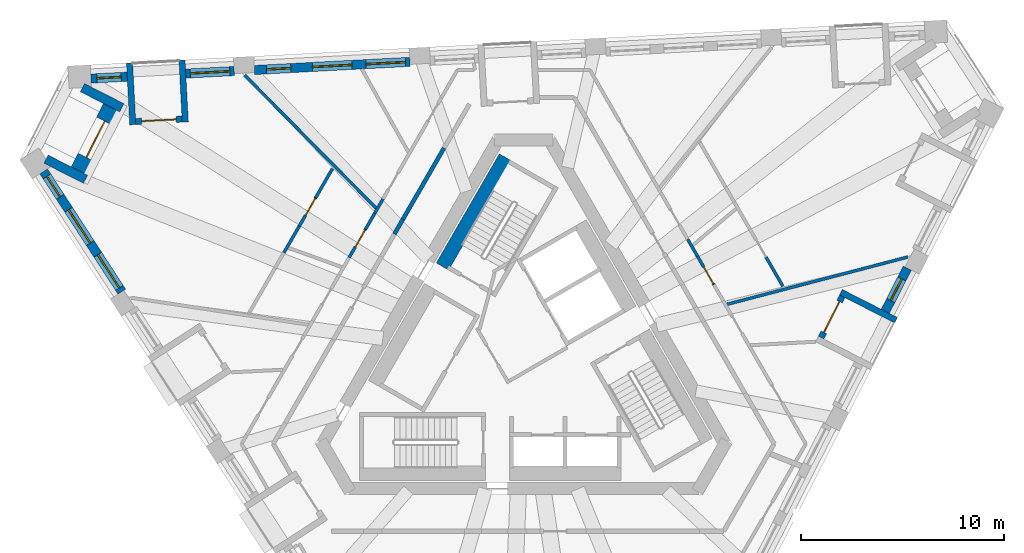
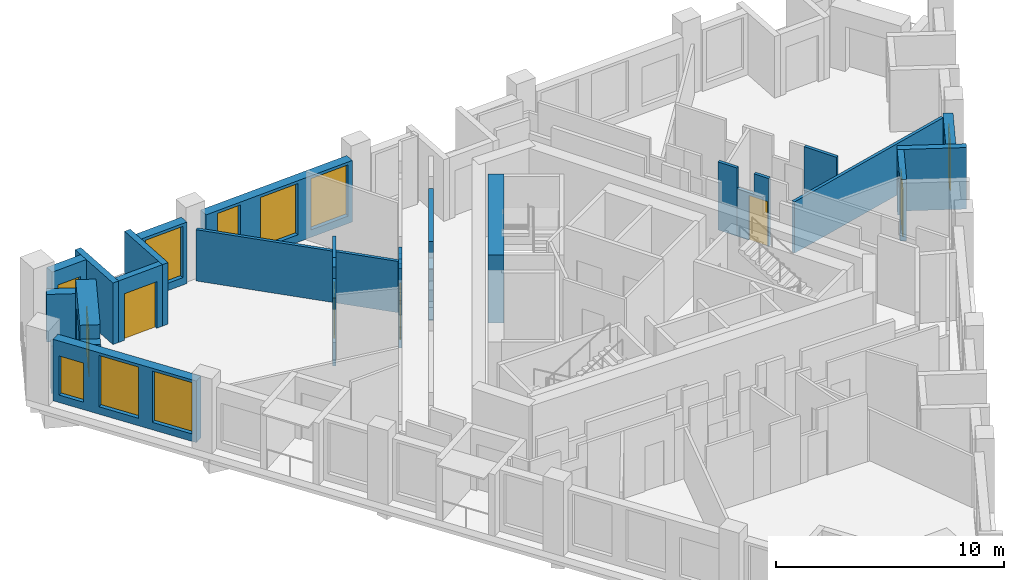
# One storey, part 6 of 12: 27 walls, 9 windows, 6 doors, 15 openings.
"""IFC4 building model written with IfcOpenShell, lengths in metres."""

from ifc_helpers import new_model, si_unit, direction, frame, frame_2d, origin, place, context, subcontext, project, spatial, polyline, rectangle, outline, extrude, material, layer, layer_set, type_object, element, fill, save


model = new_model("IFC4")

# Units and contexts
model_context = context("Model", 3, precision=1e-05, world=origin(), true_north=direction((0.0, 1.0)))
body_context = subcontext(model_context, "Body", "Model", "MODEL_VIEW")
ifc_project = project(units=[si_unit("LENGTHUNIT", "METRE"), si_unit("AREAUNIT", "SQUARE_METRE"), si_unit("VOLUMEUNIT", "CUBIC_METRE"), si_unit("PLANEANGLEUNIT", "RADIAN"), si_unit("MASSUNIT", "GRAM", prefix="KILO")], contexts=[model_context])

# Site, building, storey
site_placement = place(None, origin())
site = spatial("IfcSite", under=ifc_project, at=site_placement, CompositionType="ELEMENT")
building_placement = place(site_placement, origin())
building = spatial("IfcBuilding", under=site, at=building_placement, Name="Tramontana Tower", CompositionType="ELEMENT")
storey_placement = place(building_placement, frame((0.0, 0.0, 282.39990234375)))
storey = spatial("IfcBuildingStorey", under=building, at=storey_placement, Name="L66", CompositionType="ELEMENT", Elevation=282.39990234375)

# Walls
ifc_material_1 = material(Name="Blockwork", Category="masonry")
ifc_layer_1 = layer(ifc_material_1, 0.199951171875)
ifc_layer_set_1 = layer_set([ifc_layer_1], Name="ENTRY WALL 200")
wall_type_1 = type_object("IfcWallType", Name="ENTRY WALL 200", PredefinedType="SOLIDWALL", material=ifc_layer_set_1)
wall_1_placement = place(storey_placement, frame((-6.36328125, 6.07861328125, 0.0), z_axis=(0.0, 0.0, 1.0), x_axis=(0.499950631041, 0.86605390509, 0.0)))
element("IfcWall", 1, at=wall_1_placement, inside=storey, type_object=wall_type_1, Name="Wall v70-ew3-8", PredefinedType="SOLIDWALL", context=body_context, shape_type="SweptSolid", body=[
    extrude(rectangle(XDim=0.83349609375, YDim=0.199951171875, at=frame_2d((0.416748046875, 0.0))), origin(), (0.0, 0.0, 1.0), 2.75),
])
wall_2_placement = place(storey_placement, frame((-5.946533203125, 6.800537109375, 0.0), z_axis=(0.0, 0.0, 1.0), x_axis=(0.500007556608, 0.866021040931, 0.0)))
element("IfcWall", 2, at=wall_2_placement, inside=storey, type_object=wall_type_1, Name="Wall v70-ew3-9", PredefinedType="SOLIDWALL", context=body_context, shape_type="SweptSolid", body=[
    extrude(rectangle(XDim=4.05224609375, YDim=0.199951171875, at=frame_2d((2.026123046875, 0.0))), origin(), (0.0, 0.0, 1.0), 3.650146484375),
])

# Wall, openings, windows
ifc_material_2 = material(Name="Precast concrete 60 MPa", Category="concrete")
ifc_layer_2 = layer(ifc_material_2, 0.449951171875)
ifc_layer_set_2 = layer_set([ifc_layer_2], Name="Precast concrete 60 MPa, 450 mm")
wall_type_2 = type_object("IfcWallType", Name="EW1 Stone-faced precast wall 450", PredefinedType="SOLIDWALL", material=ifc_layer_set_2)
wall_3_placement = place(storey_placement, frame((-23.6259765625, 9.160888671875, 0.0), z_axis=(0.0, 0.0, 1.0), x_axis=(0.54463703186, -0.838671868806, 0.0)))
wall_3 = element("IfcWall", 3, at=wall_3_placement, inside=storey, type_object=wall_type_2, Name="External wall L66 face 0 bay 1", PredefinedType="SOLIDWALL", context=body_context, shape_type="SweptSolid", body=[
    extrude(rectangle(XDim=7.06005859375, YDim=0.449951171875, at=frame_2d((3.530029296875, 0.0))), origin(), (0.0, 0.0, 1.0), 3.300048828125),
])
opening_1_placement = place(wall_3_placement, frame((0.29345703125, 0.0, 0.39990234375)))
opening_1 = element("IfcOpeningElement", 4, at=opening_1_placement, cuts=wall_3, Name="Opening N3L", PredefinedType="OPENING", context=body_context, shape_type="SweptSolid", body=[
    extrude(rectangle(XDim=1.199951171875, YDim=2.10009765625, at=frame_2d((0.60009765625, 1.050048828125))), frame((0.0, 0.23486328125, 0.0), z_axis=(0.0, -1.0, 0.0), x_axis=(1.0, 0.0, 0.0)), (0.0, 0.0, 1.0), 0.469970703125),
])
opening_2_placement = place(wall_3_placement, frame((2.255126953125, 0.0, 0.39990234375)))
opening_2 = element("IfcOpeningElement", 5, at=opening_2_placement, cuts=wall_3, Name="Opening M3", PredefinedType="OPENING", context=body_context, shape_type="SweptSolid", body=[
    extrude(rectangle(XDim=1.949951171875, YDim=2.75, at=frame_2d((0.97509765625, 1.375))), frame((0.0, 0.23486328125, 0.0), z_axis=(0.0, -1.0, 0.0), x_axis=(1.0, 0.0, 0.0)), (0.0, 0.0, 1.0), 0.469970703125),
])
opening_3_placement = place(wall_3_placement, frame((4.891845703125, 0.0, 0.39990234375)))
opening_3 = element("IfcOpeningElement", 6, at=opening_3_placement, cuts=wall_3, Name="Opening M3", PredefinedType="OPENING", context=body_context, shape_type="SweptSolid", body=[
    extrude(rectangle(XDim=1.949951171875, YDim=2.75, at=frame_2d((0.97509765625, 1.375))), frame((0.0, 0.23486328125, 0.0), z_axis=(0.0, -1.0, 0.0), x_axis=(1.0, 0.0, 0.0)), (0.0, 0.0, 1.0), 0.469970703125),
])
ifc_material_3 = material(Name="Aluminum frame, double glazing unit", Category="aluminium")
window_type_1 = type_object("IfcWindowType", Name="M3 Window 1.95 x 2.75", PartitioningType="SINGLE_PANEL", PredefinedType="WINDOW", material=ifc_material_3)
window_1_placement = place(opening_2_placement, origin())
window_1 = element("IfcWindow", 7, at=window_1_placement, inside=storey, type_object=window_type_1, Name="Window M3 L66 face 0 module 2", OverallHeight=2.75, OverallWidth=1.949951171875, PartitioningType="SINGLE_PANEL", PredefinedType="WINDOW", context=body_context, shape_type="SweptSolid", body=[
    extrude(rectangle(XDim=1.949951171875, YDim=2.75, at=frame_2d((0.97509765625, 1.375))), frame((0.0, 0.030029296875, 0.0), z_axis=(0.0, -1.0, 0.0), x_axis=(1.0, 0.0, 0.0)), (0.0, 0.0, 1.0), 0.06005859375),
])
fill(opening_2, window_1)
window_2_placement = place(opening_3_placement, origin())
window_2 = element("IfcWindow", 8, at=window_2_placement, inside=storey, type_object=window_type_1, Name="Window M3 L66 face 0 module 3", OverallHeight=2.75, OverallWidth=1.949951171875, PartitioningType="SINGLE_PANEL", PredefinedType="WINDOW", context=body_context, shape_type="SweptSolid", body=[
    extrude(rectangle(XDim=1.949951171875, YDim=2.75, at=frame_2d((0.97509765625, 1.375))), frame((0.0, 0.030029296875, 0.0), z_axis=(0.0, -1.0, 0.0), x_axis=(1.0, 0.0, 0.0)), (0.0, 0.0, 1.0), 0.06005859375),
])
fill(opening_3, window_2)
ifc_material_4 = material(Name="Aluminum frame, double glazing unit", Category="aluminium")
window_type_2 = type_object("IfcWindowType", Name="N3L Window 1.2 x 2.1", PartitioningType="SINGLE_PANEL", PredefinedType="WINDOW", material=ifc_material_4)
window_3_placement = place(opening_1_placement, origin())
window_3 = element("IfcWindow", 9, at=window_3_placement, inside=storey, type_object=window_type_2, Name="Window N3L L66 face 0 module 1", OverallHeight=2.10009765625, OverallWidth=1.199951171875, PartitioningType="SINGLE_PANEL", PredefinedType="WINDOW", context=body_context, shape_type="SweptSolid", body=[
    extrude(rectangle(XDim=1.199951171875, YDim=2.10009765625, at=frame_2d((0.60009765625, 1.050048828125))), frame((0.0, 0.030029296875, 0.0), z_axis=(0.0, -1.0, 0.0), x_axis=(1.0, 0.0, 0.0)), (0.0, 0.0, 1.0), 0.06005859375),
])
fill(opening_1, window_3)

# Wall, opening, window
wall_4_placement = place(storey_placement, frame((17.796142578125, 2.27197265625, 0.0), z_axis=(0.0, 0.0, 1.0), x_axis=(0.453951830128, 0.891026226283, 0.0)))
wall_4 = element("IfcWall", 10, at=wall_4_placement, inside=storey, type_object=wall_type_2, Name="External wall L66 face 1 bay 4", PredefinedType="SOLIDWALL", context=body_context, shape_type="SweptSolid", body=[
    extrude(rectangle(XDim=2.38671875, YDim=0.449951171875, at=frame_2d((1.193359375, 0.0))), origin(), (0.0, 0.0, 1.0), 3.300048828125),
])
opening_4_placement = place(wall_4_placement, frame((0.59326171875, 0.0, 0.39990234375)))
opening_4 = element("IfcOpeningElement", 11, at=opening_4_placement, cuts=wall_4, Name="Opening N3", PredefinedType="OPENING", context=body_context, shape_type="SweptSolid", body=[
    extrude(rectangle(XDim=1.199951171875, YDim=2.75, at=frame_2d((0.60009765625, 1.375))), frame((0.0, 0.23486328125, 0.0), z_axis=(0.0, -1.0, 0.0), x_axis=(1.0, 0.0, 0.0)), (0.0, 0.0, 1.0), 0.469970703125),
])
ifc_material_5 = material(Name="Aluminum frame, double glazing unit", Category="aluminium")
window_type_3 = type_object("IfcWindowType", Name="N3 Window 1.2 x 2.75", PartitioningType="SINGLE_PANEL", PredefinedType="WINDOW", material=ifc_material_5)
window_4_placement = place(opening_4_placement, origin())
window_4 = element("IfcWindow", 12, at=window_4_placement, inside=storey, type_object=window_type_3, Name="Window N3 L66 face 1 module 12", OverallHeight=2.75, OverallWidth=1.199951171875, PartitioningType="SINGLE_PANEL", PredefinedType="WINDOW", context=body_context, shape_type="SweptSolid", body=[
    extrude(rectangle(XDim=1.199951171875, YDim=2.75, at=frame_2d((0.60009765625, 1.375))), frame((0.0, 0.030029296875, 0.0), z_axis=(0.0, -1.0, 0.0), x_axis=(1.0, 0.0, 0.0)), (0.0, 0.0, 1.0), 0.06005859375),
])
fill(opening_4, window_4)

# Wall, openings, windows
wall_5_placement = place(storey_placement, frame((-5.599365234375, 14.552001953125, 0.0), z_axis=(0.0, 0.0, 1.0), x_axis=(-0.998628023429, -0.052364786088, 0.0)))
wall_5 = element("IfcWall", 13, at=wall_5_placement, inside=storey, type_object=wall_type_2, Name="External wall L66 face 2 bay 4", PredefinedType="SOLIDWALL", context=body_context, shape_type="SweptSolid", body=[
    extrude(rectangle(XDim=7.66015625, YDim=0.449951171875, at=frame_2d((3.830078125, 0.0))), origin(), (0.0, 0.0, 1.0), 3.300048828125),
])
opening_5_placement = place(wall_5_placement, frame((0.21826171875, 0.0, 0.39990234375)))
opening_5 = element("IfcOpeningElement", 14, at=opening_5_placement, cuts=wall_5, Name="Opening M3", PredefinedType="OPENING", context=body_context, shape_type="SweptSolid", body=[
    extrude(rectangle(XDim=1.949951171875, YDim=2.75, at=frame_2d((0.97509765625, 1.375))), frame((0.0, 0.23486328125, 0.0), z_axis=(0.0, -1.0, 0.0), x_axis=(1.0, 0.0, 0.0)), (0.0, 0.0, 1.0), 0.469970703125),
])
opening_6_placement = place(wall_5_placement, frame((2.855224609375, 0.0, 0.39990234375)))
opening_6 = element("IfcOpeningElement", 15, at=opening_6_placement, cuts=wall_5, Name="Opening M3", PredefinedType="OPENING", context=body_context, shape_type="SweptSolid", body=[
    extrude(rectangle(XDim=1.949951171875, YDim=2.75, at=frame_2d((0.97509765625, 1.375))), frame((0.0, 0.23486328125, 0.0), z_axis=(0.0, -1.0, 0.0), x_axis=(1.0, 0.0, 0.0)), (0.0, 0.0, 1.0), 0.469970703125),
])
opening_7_placement = place(wall_5_placement, frame((5.866943359375, 0.0, 0.39990234375)))
opening_7 = element("IfcOpeningElement", 16, at=opening_7_placement, cuts=wall_5, Name="Opening N3", PredefinedType="OPENING", context=body_context, shape_type="SweptSolid", body=[
    extrude(rectangle(XDim=1.199951171875, YDim=2.75, at=frame_2d((0.60009765625, 1.375))), frame((0.0, 0.23486328125, 0.0), z_axis=(0.0, -1.0, 0.0), x_axis=(1.0, 0.0, 0.0)), (0.0, 0.0, 1.0), 0.469970703125),
])
window_5_placement = place(opening_5_placement, origin())
window_5 = element("IfcWindow", 17, at=window_5_placement, inside=storey, type_object=window_type_1, Name="Window M3 L66 face 2 module 10", OverallHeight=2.75, OverallWidth=1.949951171875, PartitioningType="SINGLE_PANEL", PredefinedType="WINDOW", context=body_context, shape_type="SweptSolid", body=[
    extrude(rectangle(XDim=1.949951171875, YDim=2.75, at=frame_2d((0.97509765625, 1.375))), frame((0.0, 0.030029296875, 0.0), z_axis=(0.0, -1.0, 0.0), x_axis=(1.0, 0.0, 0.0)), (0.0, 0.0, 1.0), 0.06005859375),
])
fill(opening_5, window_5)
window_6_placement = place(opening_6_placement, origin())
window_6 = element("IfcWindow", 18, at=window_6_placement, inside=storey, type_object=window_type_1, Name="Window M3 L66 face 2 module 11", OverallHeight=2.75, OverallWidth=1.949951171875, PartitioningType="SINGLE_PANEL", PredefinedType="WINDOW", context=body_context, shape_type="SweptSolid", body=[
    extrude(rectangle(XDim=1.949951171875, YDim=2.75, at=frame_2d((0.97509765625, 1.375))), frame((0.0, 0.030029296875, 0.0), z_axis=(0.0, -1.0, 0.0), x_axis=(1.0, 0.0, 0.0)), (0.0, 0.0, 1.0), 0.06005859375),
])
fill(opening_6, window_6)
window_7_placement = place(opening_7_placement, origin())
window_7 = element("IfcWindow", 19, at=window_7_placement, inside=storey, type_object=window_type_3, Name="Window N3 L66 face 2 module 12", OverallHeight=2.75, OverallWidth=1.199951171875, PartitioningType="SINGLE_PANEL", PredefinedType="WINDOW", context=body_context, shape_type="SweptSolid", body=[
    extrude(rectangle(XDim=1.199951171875, YDim=2.75, at=frame_2d((0.60009765625, 1.375))), frame((0.0, 0.030029296875, 0.0), z_axis=(0.0, -1.0, 0.0), x_axis=(1.0, 0.0, 0.0)), (0.0, 0.0, 1.0), 0.06005859375),
])
fill(opening_7, window_7)

# Wall, opening, window
wall_6_placement = place(storey_placement, frame((-14.247802734375, 14.0986328125, 0.0), z_axis=(0.0, 0.0, 1.0), x_axis=(-0.998627701279, -0.052370929331, 0.0)))
wall_6 = element("IfcWall", 20, at=wall_6_placement, inside=storey, type_object=wall_type_2, Name="External wall L66 face 2 bay 5", PredefinedType="SOLIDWALL", context=body_context, shape_type="SweptSolid", body=[
    extrude(rectangle(XDim=2.38671875, YDim=0.449951171875, at=frame_2d((1.193359375, 0.0))), origin(), (0.0, 0.0, 1.0), 3.300048828125),
])
opening_8_placement = place(wall_6_placement, frame((0.21826171875, 0.0, 0.39990234375)))
opening_8 = element("IfcOpeningElement", 21, at=opening_8_placement, cuts=wall_6, Name="Opening M3", PredefinedType="OPENING", context=body_context, shape_type="SweptSolid", body=[
    extrude(rectangle(XDim=1.949951171875, YDim=2.75, at=frame_2d((0.97509765625, 1.375))), frame((0.0, 0.23486328125, 0.0), z_axis=(0.0, -1.0, 0.0), x_axis=(1.0, 0.0, 0.0)), (0.0, 0.0, 1.0), 0.469970703125),
])
window_8_placement = place(opening_8_placement, origin())
window_8 = element("IfcWindow", 22, at=window_8_placement, inside=storey, type_object=window_type_1, Name="Window M3 L66 face 2 module 13", OverallHeight=2.75, OverallWidth=1.949951171875, PartitioningType="SINGLE_PANEL", PredefinedType="WINDOW", context=body_context, shape_type="SweptSolid", body=[
    extrude(rectangle(XDim=1.949951171875, YDim=2.75, at=frame_2d((0.97509765625, 1.375))), frame((0.0, 0.030029296875, 0.0), z_axis=(0.0, -1.0, 0.0), x_axis=(1.0, 0.0, 0.0)), (0.0, 0.0, 1.0), 0.06005859375),
])
fill(opening_8, window_8)

wall_7_placement = place(storey_placement, frame((-19.51416015625, 13.82275390625, 0.0), z_axis=(0.0, 0.0, 1.0), x_axis=(-0.998629506551, -0.052336494391, 0.0)))
wall_7 = element("IfcWall", 23, at=wall_7_placement, inside=storey, type_object=wall_type_2, Name="External wall L66 face 2 bay 5", PredefinedType="SOLIDWALL", context=body_context, shape_type="SweptSolid", body=[
    extrude(rectangle(XDim=1.78662109375, YDim=0.449951171875, at=frame_2d((0.893310546875, 0.0))), origin(), (0.0, 0.0, 1.0), 3.300048828125),
])
opening_9_placement = place(wall_7_placement, frame((0.29345703125, 0.0, 0.39990234375)))
opening_9 = element("IfcOpeningElement", 24, at=opening_9_placement, cuts=wall_7, Name="Opening N3L", PredefinedType="OPENING", context=body_context, shape_type="SweptSolid", body=[
    extrude(rectangle(XDim=1.199951171875, YDim=2.10009765625, at=frame_2d((0.60009765625, 1.050048828125))), frame((0.0, 0.23486328125, 0.0), z_axis=(0.0, -1.0, 0.0), x_axis=(1.0, 0.0, 0.0)), (0.0, 0.0, 1.0), 0.469970703125),
])
window_9_placement = place(opening_9_placement, origin())
window_9 = element("IfcWindow", 25, at=window_9_placement, inside=storey, type_object=window_type_2, Name="Window N3L L66 face 2 module 15", OverallHeight=2.10009765625, OverallWidth=1.199951171875, PartitioningType="SINGLE_PANEL", PredefinedType="WINDOW", context=body_context, shape_type="SweptSolid", body=[
    extrude(rectangle(XDim=1.199951171875, YDim=2.10009765625, at=frame_2d((0.60009765625, 1.050048828125))), frame((0.0, 0.030029296875, 0.0), z_axis=(0.0, -1.0, 0.0), x_axis=(1.0, 0.0, 0.0)), (0.0, 0.0, 1.0), 0.06005859375),
])
fill(opening_9, window_9)

# Walls
wall_8_placement = place(storey_placement, frame((-23.509765625, 9.76220703125, 0.0), z_axis=(0.0, 0.0, 1.0), x_axis=(0.891041206664, -0.45392242512, 0.0)))
element("IfcWall", 26, at=wall_8_placement, inside=storey, type_object=wall_type_2, Name="Corner loggia side wall L66 K70l", PredefinedType="SOLIDWALL", context=body_context, shape_type="SweptSolid", body=[
    extrude(rectangle(XDim=2.179443359375, YDim=0.449951171875, at=frame_2d((1.08984375, 0.0))), origin(), (0.0, 0.0, 1.0), 2.550048828125),
])
wall_9_placement = place(storey_placement, frame((-21.71630859375, 13.28173828125, 0.0), z_axis=(0.0, 0.0, 1.0), x_axis=(0.890972801346, -0.454056678468, 0.0)))
element("IfcWall", 27, at=wall_9_placement, inside=storey, type_object=wall_type_2, Name="Corner loggia side wall L66 K70r", PredefinedType="SOLIDWALL", context=body_context, shape_type="SweptSolid", body=[
    extrude(rectangle(XDim=2.17919921875, YDim=0.449951171875, at=frame_2d((1.089599609375, 0.0))), origin(), (0.0, 0.0, 1.0), 2.550048828125),
])

# Wall, opening, door
ifc_material_6 = material(Name="Precast concrete 60 MPa", Category="concrete")
ifc_layer_3 = layer(ifc_material_6, 0.89990234375)
ifc_layer_set_3 = layer_set([ifc_layer_3], Name="EW2 Stone-faced corner loggia wall 900")
wall_type_3 = type_object("IfcWallType", Name="EW2 Stone-faced corner loggia wall 900", PredefinedType="SOLIDWALL", material=ifc_layer_set_3)
wall_10_placement = place(storey_placement, frame((-21.86669921875, 9.177734375, 0.0), z_axis=(0.0, 0.0, 1.0), x_axis=(0.453981164527, 0.891011280655, 0.0)))
wall_10 = element("IfcWall", 28, at=wall_10_placement, inside=storey, type_object=wall_type_3, Name="Corner loggia wall L66 K70", PredefinedType="SOLIDWALL", context=body_context, shape_type="SweptSolid", body=[
    extrude(rectangle(XDim=3.499755859375, YDim=0.89990234375, at=frame_2d((1.75, 0.0))), origin(), (0.0, 0.0, 1.0), 3.300048828125),
])
opening_10_placement = place(wall_10_placement, frame((0.75, 0.0, 0.0)))
opening_10 = element("IfcOpeningElement", 29, at=opening_10_placement, cuts=wall_10, Name="Opening BD-70C", PredefinedType="OPENING", context=body_context, shape_type="SweptSolid", body=[
    extrude(rectangle(XDim=2.0, YDim=2.39990234375, at=frame_2d((1.0, 1.199951171875))), frame((0.0, 0.4599609375, 0.0), z_axis=(0.0, -1.0, 0.0), x_axis=(1.0, 0.0, 0.0)), (0.0, 0.0, 1.0), 0.919921875),
])
ifc_material_7 = material(Name="Aluminum frame, double glazing unit", Category="aluminium")
door_type_1 = type_object("IfcDoorType", Name="BC1 Sliding door 2 x 2.4", OperationType="SLIDING_TO_LEFT", PredefinedType="DOOR", material=ifc_material_7)
door_1_placement = place(opening_10_placement, origin())
door_1 = element("IfcDoor", 30, at=door_1_placement, inside=storey, type_object=door_type_1, Name="Corner loggia door L66 K70", OperationType="SLIDING_TO_LEFT", OverallHeight=2.39990234375, OverallWidth=2.0, PredefinedType="DOOR", context=body_context, shape_type="SweptSolid", body=[
    extrude(rectangle(XDim=2.0, YDim=2.39990234375, at=frame_2d((1.0, 1.199951171875))), frame((0.0, 0.02490234375, 0.0), z_axis=(0.0, -1.0, 0.0), x_axis=(1.0, 0.0, 0.0)), (0.0, 0.0, 1.0), 0.050048828125),
])
fill(opening_10, door_1)

ifc_material_8 = material(Name="Precast concrete 60 MPa", Category="concrete")
ifc_layer_4 = layer(ifc_material_8, 0.300048828125)
ifc_layer_set_4 = layer_set([ifc_layer_4], Name="LW1 Stone-faced loggia wall 300")
wall_type_4 = type_object("IfcWallType", Name="LW1 Stone-faced loggia wall 300", PredefinedType="SOLIDWALL", material=ifc_layer_set_4)
wall_11_placement = place(storey_placement, frame((14.63916015625, 0.977294921875, 0.0), z_axis=(0.0, 0.0, 1.0), x_axis=(0.45403292632, 0.890984905494, 0.0)))
wall_11 = element("IfcWall", 31, at=wall_11_placement, inside=storey, type_object=wall_type_4, Name="Loggia wall L66 G7S1.10", PredefinedType="SOLIDWALL", context=body_context, shape_type="SweptSolid", body=[
    extrude(rectangle(XDim=2.286865234375, YDim=0.300048828125, at=frame_2d((1.1435546875, 0.0))), origin(), (0.0, 0.0, 1.0), 3.300048828125),
])
opening_11_placement = place(wall_11_placement, frame((0.29345703125, 0.0, 0.0)))
opening_11 = element("IfcOpeningElement", 32, at=opening_11_placement, cuts=wall_11, Name="Opening BD-7S1-10", PredefinedType="OPENING", context=body_context, shape_type="SweptSolid", body=[
    extrude(rectangle(XDim=1.699951171875, YDim=2.5, at=frame_2d((0.85009765625, 1.25))), frame((0.0, 0.159912109375, 0.0), z_axis=(0.0, -1.0, 0.0), x_axis=(1.0, 0.0, 0.0)), (0.0, 0.0, 1.0), 0.320068359375),
])
ifc_material_9 = material(Name="Aluminum frame, double glazing unit", Category="aluminium")
door_type_2 = type_object("IfcDoorType", Name="BD3 Sliding door 1.7 x 2.5", OperationType="SLIDING_TO_LEFT", PredefinedType="DOOR", material=ifc_material_9)
door_2_placement = place(opening_11_placement, origin())
door_2 = element("IfcDoor", 33, at=door_2_placement, inside=storey, type_object=door_type_2, Name="Loggia door L66 G7S1.10", OperationType="SLIDING_TO_LEFT", OverallHeight=2.5, OverallWidth=1.699951171875, PredefinedType="DOOR", context=body_context, shape_type="SweptSolid", body=[
    extrude(rectangle(XDim=1.699951171875, YDim=2.5, at=frame_2d((0.85009765625, 1.25))), frame((0.0, 0.02490234375, 0.0), z_axis=(0.0, -1.0, 0.0), x_axis=(1.0, 0.0, 0.0)), (0.0, 0.0, 1.0), 0.050048828125),
])
fill(opening_11, door_2)

# Wall
wall_12_placement = place(storey_placement, frame((18.329345703125, 1.831787109375, 0.0), z_axis=(0.0, 0.0, 1.0), x_axis=(-0.890991233495, 0.454020508165, 0.0)))
element("IfcWall", 34, at=wall_12_placement, inside=storey, type_object=wall_type_4, Name="Loggia return L66 G7S1.10b", PredefinedType="SOLIDWALL", context=body_context, shape_type="SweptSolid", body=[
    extrude(rectangle(XDim=3.050048828125, YDim=0.300048828125, at=frame_2d((1.52490234375, 0.0))), origin(), (0.0, 0.0, 1.0), 3.300048828125),
])

# Wall, opening, door
wall_13_placement = place(storey_placement, frame((-16.814453125, 11.736083984375, 0.0), z_axis=(0.0, 0.0, 1.0), x_axis=(-0.998630483018, -0.052317859155, 0.0)))
wall_13 = element("IfcWall", 35, at=wall_13_placement, inside=storey, type_object=wall_type_4, Name="Loggia wall L66 G7S2.13", PredefinedType="SOLIDWALL", context=body_context, shape_type="SweptSolid", body=[
    extrude(rectangle(XDim=2.28662109375, YDim=0.300048828125, at=frame_2d((1.143310546875, 0.0))), origin(), (0.0, 0.0, 1.0), 3.300048828125),
])
opening_12_placement = place(wall_13_placement, frame((0.29345703125, 0.0, 0.0)))
opening_12 = element("IfcOpeningElement", 36, at=opening_12_placement, cuts=wall_13, Name="Opening BD-7S2-13", PredefinedType="OPENING", context=body_context, shape_type="SweptSolid", body=[
    extrude(rectangle(XDim=1.699951171875, YDim=2.5, at=frame_2d((0.85009765625, 1.25))), frame((0.0, 0.159912109375, 0.0), z_axis=(0.0, -1.0, 0.0), x_axis=(1.0, 0.0, 0.0)), (0.0, 0.0, 1.0), 0.320068359375),
])
door_3_placement = place(opening_12_placement, origin())
door_3 = element("IfcDoor", 37, at=door_3_placement, inside=storey, type_object=door_type_2, Name="Loggia door L66 G7S2.13", OperationType="SLIDING_TO_LEFT", OverallHeight=2.5, OverallWidth=1.699951171875, PredefinedType="DOOR", context=body_context, shape_type="SweptSolid", body=[
    extrude(rectangle(XDim=1.699951171875, YDim=2.5, at=frame_2d((0.85009765625, 1.25))), frame((0.0, 0.02490234375, 0.0), z_axis=(0.0, -1.0, 0.0), x_axis=(1.0, 0.0, 0.0)), (0.0, 0.0, 1.0), 0.050048828125),
])
fill(opening_12, door_3)

# Walls
wall_14_placement = place(storey_placement, frame((-16.81640625, 14.639892578125, 0.0), z_axis=(0.0, 0.0, 1.0), x_axis=(0.052352956549, -0.998628643661, 0.0)))
element("IfcWall", 38, at=wall_14_placement, inside=storey, type_object=wall_type_4, Name="Loggia return L66 G7S2.13a", PredefinedType="SOLIDWALL", context=body_context, shape_type="SweptSolid", body=[
    extrude(rectangle(XDim=3.0498046875, YDim=0.300048828125, at=frame_2d((1.52490234375, 0.0))), origin(), (0.0, 0.0, 1.0), 3.300048828125),
])
wall_15_placement = place(storey_placement, frame((-19.399658203125, 14.504638671875, 0.0), z_axis=(0.0, 0.0, 1.0), x_axis=(0.052348771756, -0.99862886304, 0.0)))
element("IfcWall", 39, at=wall_15_placement, inside=storey, type_object=wall_type_4, Name="Loggia return L66 G7S2.13b", PredefinedType="SOLIDWALL", context=body_context, shape_type="SweptSolid", body=[
    extrude(rectangle(XDim=3.050048828125, YDim=0.300048828125, at=frame_2d((1.52490234375, 0.0))), origin(), (0.0, 0.0, 1.0), 3.300048828125),
])

# Wall, opening, door
ifc_material_10 = material(Name="Gypsum board partition")
ifc_layer_5 = layer(ifc_material_10, 0.14990234375)
ifc_layer_set_5 = layer_set([ifc_layer_5], Name="PARTITION 150")
wall_type_5 = type_object("IfcWallType", Name="PARTITION 150", PredefinedType="PARTITIONING", material=ifc_layer_set_5)
wall_16_placement = place(storey_placement, frame((-8.59228515625, 4.917724609375, 0.0), z_axis=(0.0, 0.0, 1.0), x_axis=(0.500005767435, 0.866022073929, 0.0)))
wall_16 = element("IfcWall", 40, at=wall_16_placement, inside=storey, type_object=wall_type_5, Name="Wall v70-pw00-6", PredefinedType="PARTITIONING", context=body_context, shape_type="SweptSolid", body=[
    extrude(outline(polyline([(0.0, 0.0), (1.6162109375, 0.0), (1.615966796875, 3.650146484375), (0.875732421875, 3.650146484375), (0.875732421875, 2.550048828125), (0.0, 2.550048828125), (0.0, 0.0)])), frame((0.0, 0.074951171875, 0.0), z_axis=(0.0, -1.0, 0.0), x_axis=(1.0, 0.0, 0.0)), (0.0, 0.0, 1.0), 0.14990234375),
])
opening_13_placement = place(wall_16_placement, frame((0.615966796875, 0.0, 0.0)))
opening_13 = element("IfcOpeningElement", 41, at=opening_13_placement, cuts=wall_16, Name="Opening B7A-01", PredefinedType="OPENING", context=body_context, shape_type="SweptSolid", body=[
    extrude(rectangle(XDim=0.949951171875, YDim=2.39990234375, at=frame_2d((0.47509765625, 1.199951171875))), frame((0.0, 0.0849609375, 0.0), z_axis=(0.0, -1.0, 0.0), x_axis=(1.0, 0.0, 0.0)), (0.0, 0.0, 1.0), 0.169921875),
])
ifc_material_11 = material(Name="Painted timber", Category="wood")
door_type_3 = type_object("IfcDoorType", Name="DOOR ROOM 950", OperationType="SINGLE_SWING_LEFT", PredefinedType="DOOR", material=ifc_material_11)
door_4_placement = place(opening_13_placement, origin())
door_4 = element("IfcDoor", 42, at=door_4_placement, inside=storey, type_object=door_type_3, Name="Door B7A-01", OperationType="SINGLE_SWING_LEFT", OverallHeight=2.39990234375, OverallWidth=0.949951171875, PredefinedType="DOOR", context=body_context, shape_type="SweptSolid", body=[
    extrude(rectangle(XDim=0.949951171875, YDim=2.39990234375, at=frame_2d((0.47509765625, 1.199951171875))), frame((0.0, 0.02490234375, 0.0), z_axis=(0.0, -1.0, 0.0), x_axis=(1.0, 0.0, 0.0)), (0.0, 0.0, 1.0), 0.050048828125),
])
fill(opening_13, door_4)

# Walls
wall_17_placement = place(storey_placement, frame((-7.7841796875, 6.3173828125, 0.0), z_axis=(0.0, 0.0, 1.0), x_axis=(0.499884784933, 0.866091913016, 0.0)))
element("IfcWall", 43, at=wall_17_placement, inside=storey, type_object=wall_type_5, Name="Wall v70-pw00-7", PredefinedType="PARTITIONING", context=body_context, shape_type="SweptSolid", body=[
    extrude(rectangle(XDim=0.911376953125, YDim=0.14990234375, at=frame_2d((0.45556640625, 0.0))), origin(), (0.0, 0.0, 1.0), 3.650146484375),
])
wall_18_placement = place(storey_placement, frame((-7.32861328125, 7.106689453125, 0.0), z_axis=(0.0, 0.0, 1.0), x_axis=(0.500106313205, 0.865964015126, 0.0)))
element("IfcWall", 44, at=wall_18_placement, inside=storey, type_object=wall_type_5, Name="Wall v70-pw00-8", PredefinedType="PARTITIONING", context=body_context, shape_type="SweptSolid", body=[
    extrude(rectangle(XDim=0.807373046875, YDim=0.14990234375, at=frame_2d((0.40380859375, 0.0))), origin(), (0.0, 0.0, 1.0), 2.75),
])
wall_19_placement = place(storey_placement, frame((-13.736572265625, 13.900146484375, 0.0), z_axis=(0.0, 0.0, 1.0), x_axis=(0.702901092217, -0.711287603266, 0.0)))
element("IfcWall", 45, at=wall_19_placement, inside=storey, type_object=wall_type_5, Name="Wall v70-pw01-0", PredefinedType="PARTITIONING", context=body_context, shape_type="SweptSolid", body=[
    extrude(rectangle(XDim=9.19921875, YDim=0.14990234375, at=frame_2d((4.599609375, 0.0))), origin(), (0.0, 0.0, 1.0), 2.75),
])
wall_20_placement = place(storey_placement, frame((-11.7998046875, 5.162109375, 0.0), z_axis=(0.0, 0.0, 1.0), x_axis=(0.500035089595, 0.866005143849, 0.0)))
element("IfcWall", 46, at=wall_20_placement, inside=storey, type_object=wall_type_5, Name="Wall v70-pw02-3", PredefinedType="PARTITIONING", context=body_context, shape_type="SweptSolid", body=[
    extrude(rectangle(XDim=1.509765625, YDim=0.14990234375, at=frame_2d((0.7548828125, 0.0))), origin(), (0.0, 0.0, 1.0), 3.650146484375),
])

# Wall, opening, door
wall_21_placement = place(storey_placement, frame((-11.044921875, 6.469482421875, 0.0), z_axis=(0.0, 0.0, 1.0), x_axis=(0.499944992379, 0.86605716012, 0.0)))
wall_21 = element("IfcWall", 47, at=wall_21_placement, inside=storey, type_object=wall_type_5, Name="Wall v70-pw02-4", PredefinedType="PARTITIONING", context=body_context, shape_type="SweptSolid", body=[
    extrude(outline(polyline([(0.0, 0.0), (1.614501953125, 0.0), (1.614501953125, 3.650146484375), (0.875732421875, 3.650146484375), (0.875732421875, 2.550048828125), (0.0, 2.550048828125), (0.0, 0.0)])), frame((0.0, 0.074951171875, 0.0), z_axis=(0.0, -1.0, 0.0), x_axis=(1.0, 0.0, 0.0)), (0.0, 0.0, 1.0), 0.14990234375),
])
opening_14_placement = place(wall_21_placement, frame((0.614501953125, 0.0, 0.0)))
opening_14 = element("IfcOpeningElement", 48, at=opening_14_placement, cuts=wall_21, Name="Opening B7A-19", PredefinedType="OPENING", context=body_context, shape_type="SweptSolid", body=[
    extrude(rectangle(XDim=0.949951171875, YDim=2.39990234375, at=frame_2d((0.47509765625, 1.199951171875))), frame((0.0, 0.0849609375, 0.0), z_axis=(0.0, -1.0, 0.0), x_axis=(1.0, 0.0, 0.0)), (0.0, 0.0, 1.0), 0.169921875),
])
door_5_placement = place(opening_14_placement, origin())
door_5 = element("IfcDoor", 49, at=door_5_placement, inside=storey, type_object=door_type_3, Name="Door B7A-19", OperationType="SINGLE_SWING_LEFT", OverallHeight=2.39990234375, OverallWidth=0.949951171875, PredefinedType="DOOR", context=body_context, shape_type="SweptSolid", body=[
    extrude(rectangle(XDim=0.949951171875, YDim=2.39990234375, at=frame_2d((0.47509765625, 1.199951171875))), frame((0.0, 0.02490234375, 0.0), z_axis=(0.0, -1.0, 0.0), x_axis=(1.0, 0.0, 0.0)), (0.0, 0.0, 1.0), 0.050048828125),
])
fill(opening_14, door_5)

# Walls
wall_22_placement = place(storey_placement, frame((-10.23779296875, 7.86767578125, 0.0), z_axis=(0.0, 0.0, 1.0), x_axis=(0.500069669507, 0.865985176339, 0.0)))
element("IfcWall", 50, at=wall_22_placement, inside=storey, type_object=wall_type_5, Name="Wall v70-pw02-5", PredefinedType="PARTITIONING", context=body_context, shape_type="SweptSolid", body=[
    extrude(rectangle(XDim=1.643310546875, YDim=0.14990234375, at=frame_2d((0.82177734375, 0.0))), origin(), (0.0, 0.0, 1.0), 3.650146484375),
])
wall_23_placement = place(storey_placement, frame((8.071044921875, 5.820556640625, 0.0), z_axis=(0.0, 0.0, 1.0), x_axis=(0.500071713487, -0.865983996024, 0.0)))
element("IfcWall", 51, at=wall_23_placement, inside=storey, type_object=wall_type_5, Name="Wall v70-pw18-5", PredefinedType="PARTITIONING", context=body_context, shape_type="SweptSolid", body=[
    extrude(rectangle(XDim=0.968017578125, YDim=0.14990234375, at=frame_2d((0.48388671875, 0.0))), origin(), (0.0, 0.0, 1.0), 3.650146484375),
])

# Wall, opening, door
wall_24_placement = place(storey_placement, frame((8.55517578125, 4.982177734375, 0.0), z_axis=(0.0, 0.0, 1.0), x_axis=(0.499957874332, -0.866049723684, 0.0)))
wall_24 = element("IfcWall", 52, at=wall_24_placement, inside=storey, type_object=wall_type_5, Name="Wall v70-pw18-6", PredefinedType="PARTITIONING", context=body_context, shape_type="SweptSolid", body=[
    extrude(outline(polyline([(0.0, 0.0), (1.615966796875, 0.0), (1.615966796875, 3.650146484375), (0.875732421875, 3.650146484375), (0.875732421875, 2.550048828125), (0.0, 2.550048828125), (0.0, 0.0)])), frame((0.0, 0.074951171875, 0.0), z_axis=(0.0, -1.0, 0.0), x_axis=(1.0, 0.0, 0.0)), (0.0, 0.0, 1.0), 0.14990234375),
])
opening_15_placement = place(wall_24_placement, frame((0.615966796875, 0.0, 0.0)))
opening_15 = element("IfcOpeningElement", 53, at=opening_15_placement, cuts=wall_24, Name="Opening B7A-14", PredefinedType="OPENING", context=body_context, shape_type="SweptSolid", body=[
    extrude(rectangle(XDim=0.949951171875, YDim=2.39990234375, at=frame_2d((0.47509765625, 1.199951171875))), frame((0.0, 0.0849609375, 0.0), z_axis=(0.0, -1.0, 0.0), x_axis=(1.0, 0.0, 0.0)), (0.0, 0.0, 1.0), 0.169921875),
])
door_6_placement = place(opening_15_placement, origin())
door_6 = element("IfcDoor", 54, at=door_6_placement, inside=storey, type_object=door_type_3, Name="Door B7A-14", OperationType="SINGLE_SWING_RIGHT", OverallHeight=2.39990234375, OverallWidth=0.949951171875, PredefinedType="DOOR", context=body_context, shape_type="SweptSolid", body=[
    extrude(rectangle(XDim=0.949951171875, YDim=2.39990234375, at=frame_2d((0.47509765625, 1.199951171875))), frame((0.0, 0.02490234375, 0.0), z_axis=(0.0, -1.0, 0.0), x_axis=(1.0, 0.0, 0.0)), (0.0, 0.0, 1.0), 0.050048828125),
])
fill(opening_15, door_6)

# Walls
wall_25_placement = place(storey_placement, frame((11.9326171875, 4.932373046875, 0.0), z_axis=(0.0, 0.0, 1.0), x_axis=(0.499958243719, -0.866049510442, 0.0)))
element("IfcWall", 55, at=wall_25_placement, inside=storey, type_object=wall_type_5, Name="Wall v70-pw24-5", PredefinedType="PARTITIONING", context=body_context, shape_type="SweptSolid", body=[
    extrude(rectangle(XDim=1.643310546875, YDim=0.14990234375, at=frame_2d((0.82177734375, 0.0))), origin(), (0.0, 0.0, 1.0), 3.650146484375),
])
wall_26_placement = place(storey_placement, frame((10.006591796875, 2.617919921875, 0.0), z_axis=(0.0, 0.0, 1.0), x_axis=(0.967438629988, 0.253105703624, 0.0)))
element("IfcWall", 56, at=wall_26_placement, inside=storey, type_object=wall_type_5, Name="Wall v70-pw25-0", PredefinedType="PARTITIONING", context=body_context, shape_type="SweptSolid", body=[
    extrude(rectangle(XDim=9.19921875, YDim=0.14990234375, at=frame_2d((4.599609375, 0.0))), origin(), (0.0, 0.0, 1.0), 2.75),
])
ifc_material_12 = material(Name="Concrete 70 MPa", Category="concrete")
ifc_layer_6 = layer(ifc_material_12, 0.699951171875)
ifc_layer_set_6 = layer_set([ifc_layer_6], Name="Concrete 70 MPa, 700 mm")
wall_type_6 = type_object("IfcWallType", Name="RC SHAFT BACK WALL 700", PredefinedType="SOLIDWALL", material=ifc_layer_set_6)
wall_27_placement = place(storey_placement, frame((-0.896240234375, 9.847412109375, 0.0), z_axis=(0.0, 0.0, 1.0), x_axis=(-0.500009909098, -0.866019682689, 0.0)))
element("IfcWall", 57, at=wall_27_placement, inside=storey, type_object=wall_type_6, Name="Wall st1-back", PredefinedType="SOLIDWALL", context=body_context, shape_type="SweptSolid", body=[
    extrude(rectangle(XDim=6.199951171875, YDim=0.699951171875, at=frame_2d((3.10009765625, 0.0))), origin(), (0.0, 0.0, 1.0), 3.650146484375),
])

save(model, "model.ifc")
